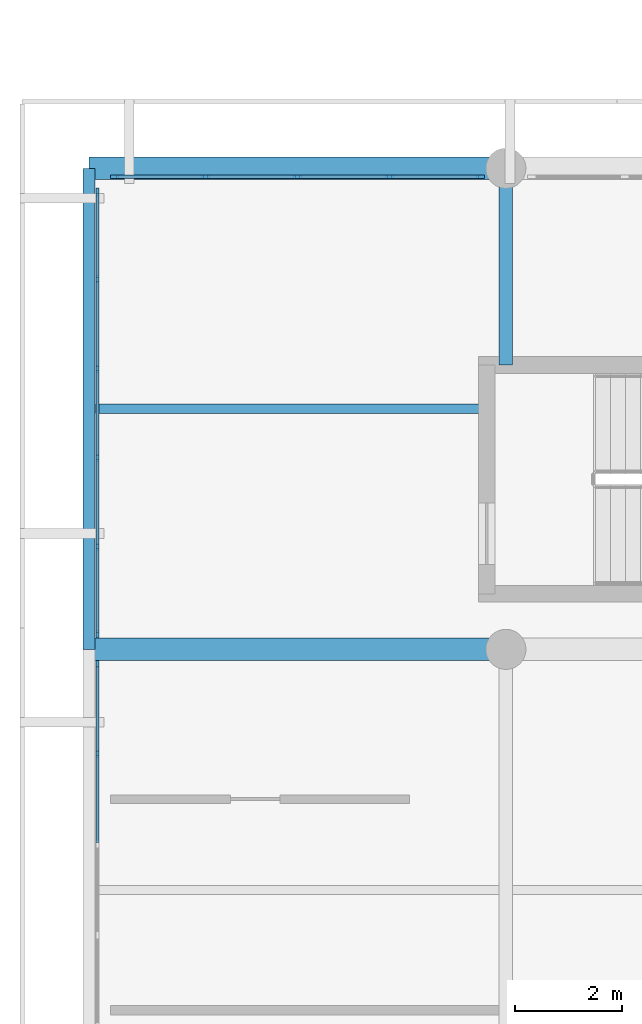
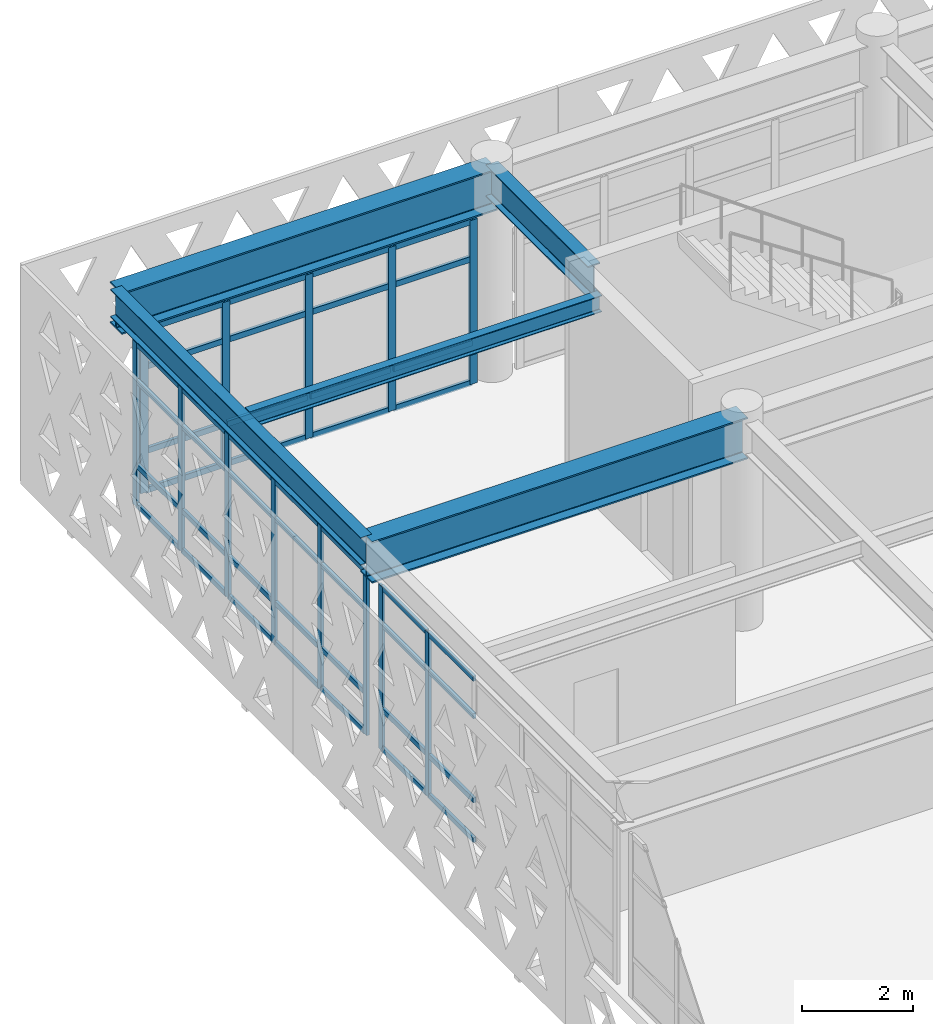
# One storey, part 5 of 33: 57 members, 5 beams, 3 elements without a shape of their own.
"""IFC4 building model written with IfcOpenShell, lengths in metres."""

import ifcopenshell
import ifcopenshell.guid

model = None  # the IFC model being written
_history = None  # IfcOwnerHistory: only IFC2X3 demands one
_inside = {}  # id of a spatial element -> (the spatial element, [elements in it])
_under = {}  # id of a project, library or spatial element -> (it, [spatial elements below it])
_declared = {}  # id of a project -> (the project, [libraries it declares])
_typed = {}  # id of a type object -> (the type object, [elements of that type])
_made_of = {}  # id of a material, layer set ... -> (it, [elements and type objects made of it])


def new_model(schema):
    """Start an empty IFC model of exactly this schema.

    Asked for "IFC4X3", IfcOpenShell would pick the latest addendum, in which some entities
    have other attributes; the version numbers below select the first issue.
    IFC2X3 requires an IfcOwnerHistory on every rooted entity: one is made here for all.
    """
    global model, _history
    if schema == "IFC4X3":
        model = ifcopenshell.file(schema_version=(4, 3, 0, 0))
    else:
        model = ifcopenshell.file(schema=schema)
    _inside.clear()
    _under.clear()
    _declared.clear()
    _typed.clear()
    _made_of.clear()
    _history = None
    if model.schema == "IFC2X3":
        org = make("IfcOrganization", Name="unknown")
        user = make(
            "IfcPersonAndOrganization",
            ThePerson=make("IfcPerson", FamilyName="unknown"),
            TheOrganization=org,
        )
        app = make(
            "IfcApplication",
            ApplicationDeveloper=org,
            Version="unknown",
            ApplicationFullName="unknown",
            ApplicationIdentifier="unknown",
        )
        _history = make(
            "IfcOwnerHistory",
            OwningUser=user,
            OwningApplication=app,
            ChangeAction="ADDED",
            CreationDate=0,
        )
    return model


def make(cls, **values):
    """One entity of the class cls with the attributes given. An attribute that is None is left unset."""
    return model.create_entity(
        cls, **{name: value for name, value in values.items() if value is not None}
    )


def rooted(cls, **values):
    """An entity with a GlobalId (a new one), such as an element, a storey or a relation."""
    return make(cls, GlobalId=ifcopenshell.guid.new(), OwnerHistory=_history, **values)


def si_unit(unit_type, name, prefix=None):
    """IfcSIUnit, for example si_unit("LENGTHUNIT", "METRE", prefix="MILLI")."""
    return make("IfcSIUnit", UnitType=unit_type, Prefix=prefix, Name=name)


def assignment(units):
    """IfcUnitAssignment: the units of a project."""
    return None if units is None else make("IfcUnitAssignment", Units=units)


def point(xyz):
    """IfcCartesianPoint."""
    return None if xyz is None else make("IfcCartesianPoint", Coordinates=xyz)


def direction(xyz):
    """IfcDirection."""
    return None if xyz is None else make("IfcDirection", DirectionRatios=xyz)


def frame(location, z_axis=None, x_axis=None):
    """IfcAxis2Placement3D, a coordinate frame: its origin and axes. An axis left out is left unset."""
    return make(
        "IfcAxis2Placement3D",
        Location=point(location),
        Axis=direction(z_axis),
        RefDirection=direction(x_axis),
    )


def frame_2d(location, x_axis=None):
    """IfcAxis2Placement2D, a coordinate frame in the plane: its origin and x axis."""
    return make(
        "IfcAxis2Placement2D", Location=point(location), RefDirection=direction(x_axis)
    )


def origin():
    """The frame at (0, 0, 0) with its axes left unset."""
    return frame((0.0, 0.0, 0.0))


def origin_2d():
    """The frame at (0, 0) in the plane with its x axis left unset."""
    return frame_2d((0.0, 0.0))


def place(relative_to, where):
    """IfcLocalPlacement: puts the frame where relative to a parent placement (None: the world)."""
    return make(
        "IfcLocalPlacement", PlacementRelTo=relative_to, RelativePlacement=where
    )


def context(
    kind, dimensions, precision=None, world=None, true_north=None, identifier=None
):
    """IfcGeometricRepresentationContext, for example the 3D "Model" context."""
    return make(
        "IfcGeometricRepresentationContext",
        ContextIdentifier=identifier,
        ContextType=kind,
        CoordinateSpaceDimension=dimensions,
        Precision=precision,
        WorldCoordinateSystem=world,
        TrueNorth=true_north,
    )


def subcontext(parent, identifier, kind, view, scale=None):
    """IfcGeometricRepresentationSubContext, for example "Body" below "Model"."""
    return make(
        "IfcGeometricRepresentationSubContext",
        ContextIdentifier=identifier,
        ContextType=kind,
        ParentContext=parent,
        TargetScale=scale,
        TargetView=view,
    )


def project(units=None, contexts=None):
    """IfcProject with its units and contexts."""
    return rooted(
        "IfcProject",
        Name="project",
        RepresentationContexts=contexts,
        UnitsInContext=assignment(units),
    )


def spatial(cls, under=None, at=None, **own):
    """A site, building, storey or space (cls), placed at a placement, below another one or the project."""
    s = rooted(cls, ObjectPlacement=at, **own)
    if under is not None:
        _under.setdefault(under.id(), (under, []))[1].append(s)
    return s


def profile(cls, at=None, kind="AREA", **sizes):
    """A parametric profile (cls). Its sizes go by their IFC names, for example OverallWidth=200.0."""
    return make(cls, ProfileType=kind, Position=at, **sizes)


def rectangle(**sizes):
    """IfcRectangleProfileDef."""
    return profile("IfcRectangleProfileDef", **sizes)


def i_section(**sizes):
    """IfcIShapeProfileDef."""
    return profile("IfcIShapeProfileDef", **sizes)


def extrude(swept, where, along, depth):
    """IfcExtrudedAreaSolid: the profile swept, set in the frame where, extruded along a direction by depth."""
    return make(
        "IfcExtrudedAreaSolid",
        SweptArea=swept,
        Position=where,
        ExtrudedDirection=direction(along),
        Depth=depth,
    )


def shape(context_of_items, identifier, shape_type, items):
    """IfcShapeRepresentation: the items that make up one representation, for example the "Body"."""
    return make(
        "IfcShapeRepresentation",
        ContextOfItems=context_of_items,
        RepresentationIdentifier=identifier,
        RepresentationType=shape_type,
        Items=items,
    )


def material(Name=None, Category=None):
    """IfcMaterial."""
    return make("IfcMaterial", Name=Name, Category=Category)


def layer(
    of_material, thickness, ventilated=None, Name=None, Category=None, Priority=None
):
    """IfcMaterialLayer: one layer of a wall or slab, of a material (None: an air gap)."""
    return make(
        "IfcMaterialLayer",
        Material=of_material,
        LayerThickness=thickness,
        IsVentilated=ventilated,
        Name=Name,
        Category=Category,
        Priority=Priority,
    )


def layer_set(layers, Name=None):
    """IfcMaterialLayerSet."""
    return make("IfcMaterialLayerSet", MaterialLayers=layers, LayerSetName=Name)


def material_profile(
    of_material, cross_section, Name=None, Category=None, Priority=None
):
    """IfcMaterialProfile: a cross section and its material."""
    return make(
        "IfcMaterialProfile",
        Name=Name,
        Material=of_material,
        Profile=cross_section,
        Priority=Priority,
        Category=Category,
    )


def profile_set(profiles, Name=None, composite=None):
    """IfcMaterialProfileSet."""
    return make(
        "IfcMaterialProfileSet",
        Name=Name,
        MaterialProfiles=profiles,
        CompositeProfile=composite,
    )


def made_of(thing, what):
    """Note that an element or type object is made of a material, layer set ...; save() writes the relation."""
    if what is not None:
        _made_of.setdefault(what.id(), (what, []))[1].append(thing)
    return thing


def type_object(cls, material=None, **own):
    """A type object (cls), such as IfcWallType, which elements share."""
    return made_of(rooted(cls, **own), material)


def element(
    cls,
    number,
    at=None,
    inside=None,
    cuts=None,
    type_object=None,
    material=None,
    context=None,
    identifier="Body",
    shape_type=None,
    held_by="IfcProductDefinitionShape",
    body=None,
    shapes=None,
    **own,
):
    """One element of the class cls, such as IfcWall. Its Tag is "e" and its number.

    at: its placement. inside: the storey or other place that contains it. cuts: it is an
    opening in that element (IfcRelVoidsElement). A single representation is given by context,
    identifier, shape_type and body (its items); several are given by shapes. held_by: the class
    of the entity that holds the representations. save() writes the other relations.
    """
    e = rooted(cls, Tag="e%d" % number, ObjectPlacement=at, **own)
    if body is not None:
        shapes = [shape(context, identifier, shape_type, body)]
    if shapes is not None:
        e.Representation = make(held_by, Representations=shapes)
    if inside is not None:
        _inside.setdefault(inside.id(), (inside, []))[1].append(e)
    if cuts is not None:
        rooted(
            "IfcRelVoidsElement", RelatingBuildingElement=cuts, RelatedOpeningElement=e
        )
    if type_object is not None:
        _typed.setdefault(type_object.id(), (type_object, []))[1].append(e)
    return made_of(e, material)


def aggregate(whole, parts):
    """IfcRelAggregates: a whole, such as a stair, and the parts it consists of."""
    return rooted("IfcRelAggregates", RelatingObject=whole, RelatedObjects=parts)


def save(model, path):
    """Write the relations noted so far, then the file.

    IfcRelAggregates (storeys below a building ...), IfcRelContainedInSpatialStructure (elements
    in a storey), IfcRelDefinesByType, IfcRelAssociatesMaterial and IfcRelDeclares: one each for
    every whole, place, type object, material and project.
    """
    for whole, parts in _under.values():
        aggregate(whole, parts)
    for where, things in _inside.values():
        rooted(
            "IfcRelContainedInSpatialStructure",
            RelatedElements=things,
            RelatingStructure=where,
        )
    for kind, things in _typed.values():
        rooted("IfcRelDefinesByType", RelatedObjects=things, RelatingType=kind)
    for what, things in _made_of.values():
        rooted("IfcRelAssociatesMaterial", RelatedObjects=things, RelatingMaterial=what)
    for by, libraries in _declared.values():
        rooted("IfcRelDeclares", RelatingContext=by, RelatedDefinitions=libraries)
    model.write(path)


model = new_model("IFC4")

# Units and contexts
model_context = context("Model", 3, precision=1e-05, world=origin(), true_north=direction((0.0, 1.0)))
body_context = subcontext(model_context, "Body", "Model", "MODEL_VIEW")
ifc_project = project(units=[si_unit("LENGTHUNIT", "METRE"), si_unit("AREAUNIT", "SQUARE_METRE"), si_unit("VOLUMEUNIT", "CUBIC_METRE"), si_unit("PLANEANGLEUNIT", "RADIAN"), si_unit("MASSUNIT", "GRAM", prefix="KILO")], contexts=[model_context])

# Site, building, storey
site_placement = place(None, origin())
site = spatial("IfcSite", under=ifc_project, at=site_placement, CompositionType="ELEMENT")
building_placement = place(site_placement, origin())
building = spatial("IfcBuilding", under=site, at=building_placement, Name="Tlacozan Convention Centre", CompositionType="ELEMENT")
storey_placement = place(building_placement, frame((0.0, 0.0, 16.199951171875)))
storey = spatial("IfcBuildingStorey", under=building, at=storey_placement, Name="L03", CompositionType="ELEMENT", Elevation=16.199951171875)

# Beams
ifc_material_1 = material(Name="Steel ASTM A992 Grade 50", Category="steel")
ifc_material_profile_1 = material_profile(ifc_material_1, i_section(OverallWidth=0.41796875, OverallDepth=0.912109375, WebThickness=0.019287109375, FlangeThickness=0.031982421875, FilletRadius=0.02001953125, at=origin_2d()), Name="IR 914x342.0")
ifc_profile_set_1 = profile_set([ifc_material_profile_1], Name="Steel ASTM A992 Grade 50")
beam_type_1 = type_object("IfcBeamType", Name="Cantilever Girder IR 914x342", PredefinedType="BEAM", material=ifc_profile_set_1)
for number, where, z_axis, x_axis, name in (
    (1, (8.0, 18.0, 4.10400390625), (-1.0, 0.0, 0.0), (0.0, -1.0, 0.0), "L03 Cantilever Girder IR 914x342 581"),
    (2, (8.0, 27.0, 4.10400390625), (-1.0, 0.0, 0.0), (0.0, -1.0, 0.0), "L03 Cantilever Girder IR 914x342 583"),
):
    element("IfcBeam", number, at=place(storey_placement, frame(where, z_axis=z_axis, x_axis=x_axis)), inside=storey, type_object=beam_type_1, Name=name, PredefinedType="BEAM", context=body_context, shape_type="SweptSolid", body=[
        extrude(i_section(OverallWidth=0.41796875, OverallDepth=0.912109375, WebThickness=0.019287109375, FlangeThickness=0.031982421875, FilletRadius=0.02001953125, at=origin_2d()), origin(), (0.0, 0.0, 1.0), 7.800048828125),
    ])

# Curtain wall, members
ifc_material_2 = material(Name="Dark Bronze Anodised Aluminium", Category="aluminium")
ifc_layer_1 = layer(ifc_material_2, 0.159912109375)
ifc_layer_set_1 = layer_set([ifc_layer_1], Name="Dark Bronze Anodised Aluminium")
curtain_wall_type_1 = type_object("IfcCurtainWallType", Name="Unitised Congress Gable End CW06", PredefinedType="NOTDEFINED", material=ifc_layer_set_1)
curtain_wall_1_placement = place(storey_placement, origin())
curtain_wall_1 = element("IfcCurtainWall", 3, at=curtain_wall_1_placement, inside=storey, type_object=curtain_wall_type_1, Name="L03 CW-06 Run 120", PredefinedType="NOTDEFINED")
ifc_material_profile_2 = material_profile(ifc_material_2, rectangle(XDim=0.06005859375, YDim=0.139892578125, at=origin_2d()), Name="ALU 60x140")
ifc_profile_set_2 = profile_set([ifc_material_profile_2], Name="Dark Bronze Anodised Aluminium")
member_type_1 = type_object("IfcMemberType", Name="Curtain Wall Light Mullion 60x140", PredefinedType="MULLION", material=ifc_profile_set_2)
member_1_placement = place(storey_placement, frame((0.360107421875, 16.050048828125, 0.0), z_axis=(0.0, 0.0, 1.0), x_axis=(-1.0, 0.0, 0.0)))
member_1 = element("IfcMember", 4, at=member_1_placement, type_object=member_type_1, Name="CW-06 mullion 5", PredefinedType="MULLION", context=body_context, shape_type="SweptSolid", body=[
    extrude(rectangle(XDim=0.06005859375, YDim=0.139892578125, at=origin_2d()), origin(), (0.0, 0.0, 1.0), 3.60009765625),
])
member_2_placement = place(storey_placement, frame((0.360107421875, 17.719970703125, 0.0), z_axis=(0.0, 0.0, 1.0), x_axis=(-1.0, 0.0, 0.0)))
member_2 = element("IfcMember", 5, at=member_2_placement, type_object=member_type_1, Name="CW-06 mullion 6", PredefinedType="MULLION", context=body_context, shape_type="SweptSolid", body=[
    extrude(rectangle(XDim=0.06005859375, YDim=0.139892578125, at=origin_2d()), origin(), (0.0, 0.0, 1.0), 3.60009765625),
])

curtain_wall_2_placement = place(storey_placement, origin())
curtain_wall_2 = element("IfcCurtainWall", 6, at=curtain_wall_2_placement, inside=storey, type_object=curtain_wall_type_1, Name="L03 CW-06 Run 122", PredefinedType="NOTDEFINED")
member_3_placement = place(storey_placement, frame((0.360107421875, 18.280029296875, 0.0), z_axis=(0.0, 0.0, 1.0), x_axis=(-1.0, 0.0, 0.0)))
member_3 = element("IfcMember", 7, at=member_3_placement, type_object=member_type_1, Name="CW-06 mullion 1", PredefinedType="MULLION", context=body_context, shape_type="SweptSolid", body=[
    extrude(rectangle(XDim=0.06005859375, YDim=0.139892578125, at=origin_2d()), origin(), (0.0, 0.0, 1.0), 3.60009765625),
])
member_4_placement = place(storey_placement, frame((0.360107421875, 19.91796875, 0.0), z_axis=(0.0, 0.0, 1.0), x_axis=(-1.0, 0.0, 0.0)))
member_4 = element("IfcMember", 8, at=member_4_placement, type_object=member_type_1, Name="CW-06 mullion 2", PredefinedType="MULLION", context=body_context, shape_type="SweptSolid", body=[
    extrude(rectangle(XDim=0.06005859375, YDim=0.139892578125, at=origin_2d()), origin(), (0.0, 0.0, 1.0), 3.60009765625),
])
member_5_placement = place(storey_placement, frame((0.360107421875, 21.5859375, 0.0), z_axis=(0.0, 0.0, 1.0), x_axis=(-1.0, 0.0, 0.0)))
member_5 = element("IfcMember", 9, at=member_5_placement, type_object=member_type_1, Name="CW-06 mullion 3", PredefinedType="MULLION", context=body_context, shape_type="SweptSolid", body=[
    extrude(rectangle(XDim=0.06005859375, YDim=0.139892578125, at=origin_2d()), origin(), (0.0, 0.0, 1.0), 3.60009765625),
])
member_6_placement = place(storey_placement, frame((0.360107421875, 23.25390625, 0.0), z_axis=(0.0, 0.0, 1.0), x_axis=(-1.0, 0.0, 0.0)))
member_6 = element("IfcMember", 10, at=member_6_placement, type_object=member_type_1, Name="CW-06 mullion 4", PredefinedType="MULLION", context=body_context, shape_type="SweptSolid", body=[
    extrude(rectangle(XDim=0.06005859375, YDim=0.139892578125, at=origin_2d()), origin(), (0.0, 0.0, 1.0), 3.60009765625),
])
member_7_placement = place(storey_placement, frame((0.360107421875, 24.922119140625, 0.0), z_axis=(0.0, 0.0, 1.0), x_axis=(-1.0, 0.0, 0.0)))
member_7 = element("IfcMember", 11, at=member_7_placement, type_object=member_type_1, Name="CW-06 mullion 5", PredefinedType="MULLION", context=body_context, shape_type="SweptSolid", body=[
    extrude(rectangle(XDim=0.06005859375, YDim=0.139892578125, at=origin_2d()), origin(), (0.0, 0.0, 1.0), 3.60009765625),
])
member_8_placement = place(storey_placement, frame((0.360107421875, 26.56005859375, 0.0), z_axis=(0.0, 0.0, 1.0), x_axis=(-1.0, 0.0, 0.0)))
member_8 = element("IfcMember", 12, at=member_8_placement, type_object=member_type_1, Name="CW-06 mullion 6", PredefinedType="MULLION", context=body_context, shape_type="SweptSolid", body=[
    extrude(rectangle(XDim=0.06005859375, YDim=0.139892578125, at=origin_2d()), origin(), (0.0, 0.0, 1.0), 3.60009765625),
])

# Member
ifc_material_profile_3 = material_profile(ifc_material_2, rectangle(XDim=0.06005859375, YDim=0.110107421875, at=origin_2d()), Name="ALU 60x110")
ifc_profile_set_3 = profile_set([ifc_material_profile_3], Name="Dark Bronze Anodised Aluminium")
member_type_2 = type_object("IfcMemberType", Name="Curtain Wall Light Transom 60x110", PredefinedType="USERDEFINED", material=ifc_profile_set_3)
member_9_placement = place(storey_placement, frame((0.360107421875, 14.3798828125, 0.030029296875), z_axis=(0.0, 1.0, 0.0), x_axis=(-1.0, 0.0, 0.0)))
member_9 = element("IfcMember", 13, at=member_9_placement, type_object=member_type_2, Name="CW-06 transom 4.1", ObjectType="TRANSOM", PredefinedType="USERDEFINED", context=body_context, shape_type="SweptSolid", body=[
    extrude(rectangle(XDim=0.06005859375, YDim=0.110107421875, at=origin_2d()), origin(), (0.0, 0.0, 1.0), 1.64013671875),
])

member_10_placement = place(storey_placement, frame((0.360107421875, 14.3798828125, 0.900146484375), z_axis=(0.0, 1.0, 0.0), x_axis=(-1.0, 0.0, 0.0)))
member_10 = element("IfcMember", 14, at=member_10_placement, type_object=member_type_2, Name="CW-06 transom 4.2", ObjectType="TRANSOM", PredefinedType="USERDEFINED", context=body_context, shape_type="SweptSolid", body=[
    extrude(rectangle(XDim=0.06005859375, YDim=0.110107421875, at=origin_2d()), origin(), (0.0, 0.0, 1.0), 1.64013671875),
])

member_11_placement = place(storey_placement, frame((0.360107421875, 14.3798828125, 2.75), z_axis=(0.0, 1.0, 0.0), x_axis=(-1.0, 0.0, 0.0)))
member_11 = element("IfcMember", 15, at=member_11_placement, type_object=member_type_2, Name="CW-06 transom 4.3", ObjectType="TRANSOM", PredefinedType="USERDEFINED", context=body_context, shape_type="SweptSolid", body=[
    extrude(rectangle(XDim=0.06005859375, YDim=0.110107421875, at=origin_2d()), origin(), (0.0, 0.0, 1.0), 1.64013671875),
])

member_12_placement = place(storey_placement, frame((0.360107421875, 14.3798828125, 3.570068359375), z_axis=(0.0, 1.0, 0.0), x_axis=(-1.0, 0.0, 0.0)))
member_12 = element("IfcMember", 16, at=member_12_placement, type_object=member_type_2, Name="CW-06 transom 4.4", ObjectType="TRANSOM", PredefinedType="USERDEFINED", context=body_context, shape_type="SweptSolid", body=[
    extrude(rectangle(XDim=0.06005859375, YDim=0.110107421875, at=origin_2d()), origin(), (0.0, 0.0, 1.0), 1.64013671875),
])

member_13_placement = place(storey_placement, frame((0.360107421875, 16.080078125, 0.030029296875), z_axis=(0.0, 1.0, 0.0), x_axis=(-1.0, 0.0, 0.0)))
member_13 = element("IfcMember", 17, at=member_13_placement, type_object=member_type_2, Name="CW-06 transom 5.1", ObjectType="TRANSOM", PredefinedType="USERDEFINED", context=body_context, shape_type="SweptSolid", body=[
    extrude(rectangle(XDim=0.06005859375, YDim=0.110107421875, at=origin_2d()), origin(), (0.0, 0.0, 1.0), 1.60986328125),
])

member_14_placement = place(storey_placement, frame((0.360107421875, 16.080078125, 0.900146484375), z_axis=(0.0, 1.0, 0.0), x_axis=(-1.0, 0.0, 0.0)))
member_14 = element("IfcMember", 18, at=member_14_placement, type_object=member_type_2, Name="CW-06 transom 5.2", ObjectType="TRANSOM", PredefinedType="USERDEFINED", context=body_context, shape_type="SweptSolid", body=[
    extrude(rectangle(XDim=0.06005859375, YDim=0.110107421875, at=origin_2d()), origin(), (0.0, 0.0, 1.0), 1.60986328125),
])

member_15_placement = place(storey_placement, frame((0.360107421875, 16.080078125, 2.75), z_axis=(0.0, 1.0, 0.0), x_axis=(-1.0, 0.0, 0.0)))
member_15 = element("IfcMember", 19, at=member_15_placement, type_object=member_type_2, Name="CW-06 transom 5.3", ObjectType="TRANSOM", PredefinedType="USERDEFINED", context=body_context, shape_type="SweptSolid", body=[
    extrude(rectangle(XDim=0.06005859375, YDim=0.110107421875, at=origin_2d()), origin(), (0.0, 0.0, 1.0), 1.60986328125),
])

member_16_placement = place(storey_placement, frame((0.360107421875, 16.080078125, 3.570068359375), z_axis=(0.0, 1.0, 0.0), x_axis=(-1.0, 0.0, 0.0)))
member_16 = element("IfcMember", 20, at=member_16_placement, type_object=member_type_2, Name="CW-06 transom 5.4", ObjectType="TRANSOM", PredefinedType="USERDEFINED", context=body_context, shape_type="SweptSolid", body=[
    extrude(rectangle(XDim=0.06005859375, YDim=0.110107421875, at=origin_2d()), origin(), (0.0, 0.0, 1.0), 1.60986328125),
])

aggregate(curtain_wall_1, [member_1, member_2, member_9, member_10, member_11, member_12, member_13, member_14, member_15, member_16])

member_17_placement = place(storey_placement, frame((0.360107421875, 18.31005859375, 0.030029296875), z_axis=(0.0, 1.0, 0.0), x_axis=(-1.0, 0.0, 0.0)))
member_17 = element("IfcMember", 21, at=member_17_placement, type_object=member_type_2, Name="CW-06 transom 1.1", ObjectType="TRANSOM", PredefinedType="USERDEFINED", context=body_context, shape_type="SweptSolid", body=[
    extrude(rectangle(XDim=0.06005859375, YDim=0.110107421875, at=origin_2d()), origin(), (0.0, 0.0, 1.0), 1.577880859375),
])

member_18_placement = place(storey_placement, frame((0.360107421875, 18.31005859375, 0.900146484375), z_axis=(0.0, 1.0, 0.0), x_axis=(-1.0, 0.0, 0.0)))
member_18 = element("IfcMember", 22, at=member_18_placement, type_object=member_type_2, Name="CW-06 transom 1.2", ObjectType="TRANSOM", PredefinedType="USERDEFINED", context=body_context, shape_type="SweptSolid", body=[
    extrude(rectangle(XDim=0.06005859375, YDim=0.110107421875, at=origin_2d()), origin(), (0.0, 0.0, 1.0), 1.577880859375),
])

member_19_placement = place(storey_placement, frame((0.360107421875, 18.31005859375, 2.75), z_axis=(0.0, 1.0, 0.0), x_axis=(-1.0, 0.0, 0.0)))
member_19 = element("IfcMember", 23, at=member_19_placement, type_object=member_type_2, Name="CW-06 transom 1.3", ObjectType="TRANSOM", PredefinedType="USERDEFINED", context=body_context, shape_type="SweptSolid", body=[
    extrude(rectangle(XDim=0.06005859375, YDim=0.110107421875, at=origin_2d()), origin(), (0.0, 0.0, 1.0), 1.577880859375),
])

member_20_placement = place(storey_placement, frame((0.360107421875, 18.31005859375, 3.570068359375), z_axis=(0.0, 1.0, 0.0), x_axis=(-1.0, 0.0, 0.0)))
member_20 = element("IfcMember", 24, at=member_20_placement, type_object=member_type_2, Name="CW-06 transom 1.4", ObjectType="TRANSOM", PredefinedType="USERDEFINED", context=body_context, shape_type="SweptSolid", body=[
    extrude(rectangle(XDim=0.06005859375, YDim=0.110107421875, at=origin_2d()), origin(), (0.0, 0.0, 1.0), 1.577880859375),
])

member_21_placement = place(storey_placement, frame((0.360107421875, 19.947998046875, 0.030029296875), z_axis=(0.0, 1.0, 0.0), x_axis=(-1.0, 0.0, 0.0)))
member_21 = element("IfcMember", 25, at=member_21_placement, type_object=member_type_2, Name="CW-06 transom 2.1", ObjectType="TRANSOM", PredefinedType="USERDEFINED", context=body_context, shape_type="SweptSolid", body=[
    extrude(rectangle(XDim=0.06005859375, YDim=0.110107421875, at=origin_2d()), origin(), (0.0, 0.0, 1.0), 1.60791015625),
])

member_22_placement = place(storey_placement, frame((0.360107421875, 19.947998046875, 0.900146484375), z_axis=(0.0, 1.0, 0.0), x_axis=(-1.0, 0.0, 0.0)))
member_22 = element("IfcMember", 26, at=member_22_placement, type_object=member_type_2, Name="CW-06 transom 2.2", ObjectType="TRANSOM", PredefinedType="USERDEFINED", context=body_context, shape_type="SweptSolid", body=[
    extrude(rectangle(XDim=0.06005859375, YDim=0.110107421875, at=origin_2d()), origin(), (0.0, 0.0, 1.0), 1.60791015625),
])

member_23_placement = place(storey_placement, frame((0.360107421875, 19.947998046875, 2.75), z_axis=(0.0, 1.0, 0.0), x_axis=(-1.0, 0.0, 0.0)))
member_23 = element("IfcMember", 27, at=member_23_placement, type_object=member_type_2, Name="CW-06 transom 2.3", ObjectType="TRANSOM", PredefinedType="USERDEFINED", context=body_context, shape_type="SweptSolid", body=[
    extrude(rectangle(XDim=0.06005859375, YDim=0.110107421875, at=origin_2d()), origin(), (0.0, 0.0, 1.0), 1.60791015625),
])

member_24_placement = place(storey_placement, frame((0.360107421875, 19.947998046875, 3.570068359375), z_axis=(0.0, 1.0, 0.0), x_axis=(-1.0, 0.0, 0.0)))
member_24 = element("IfcMember", 28, at=member_24_placement, type_object=member_type_2, Name="CW-06 transom 2.4", ObjectType="TRANSOM", PredefinedType="USERDEFINED", context=body_context, shape_type="SweptSolid", body=[
    extrude(rectangle(XDim=0.06005859375, YDim=0.110107421875, at=origin_2d()), origin(), (0.0, 0.0, 1.0), 1.60791015625),
])

member_25_placement = place(storey_placement, frame((0.360107421875, 21.615966796875, 0.030029296875), z_axis=(0.0, 1.0, 0.0), x_axis=(-1.0, 0.0, 0.0)))
member_25 = element("IfcMember", 29, at=member_25_placement, type_object=member_type_2, Name="CW-06 transom 3.1", ObjectType="TRANSOM", PredefinedType="USERDEFINED", context=body_context, shape_type="SweptSolid", body=[
    extrude(rectangle(XDim=0.06005859375, YDim=0.110107421875, at=origin_2d()), origin(), (0.0, 0.0, 1.0), 1.608154296875),
])

member_26_placement = place(storey_placement, frame((0.360107421875, 21.615966796875, 0.900146484375), z_axis=(0.0, 1.0, 0.0), x_axis=(-1.0, 0.0, 0.0)))
member_26 = element("IfcMember", 30, at=member_26_placement, type_object=member_type_2, Name="CW-06 transom 3.2", ObjectType="TRANSOM", PredefinedType="USERDEFINED", context=body_context, shape_type="SweptSolid", body=[
    extrude(rectangle(XDim=0.06005859375, YDim=0.110107421875, at=origin_2d()), origin(), (0.0, 0.0, 1.0), 1.608154296875),
])

member_27_placement = place(storey_placement, frame((0.360107421875, 21.615966796875, 2.75), z_axis=(0.0, 1.0, 0.0), x_axis=(-1.0, 0.0, 0.0)))
member_27 = element("IfcMember", 31, at=member_27_placement, type_object=member_type_2, Name="CW-06 transom 3.3", ObjectType="TRANSOM", PredefinedType="USERDEFINED", context=body_context, shape_type="SweptSolid", body=[
    extrude(rectangle(XDim=0.06005859375, YDim=0.110107421875, at=origin_2d()), origin(), (0.0, 0.0, 1.0), 1.608154296875),
])

member_28_placement = place(storey_placement, frame((0.360107421875, 21.615966796875, 3.570068359375), z_axis=(0.0, 1.0, 0.0), x_axis=(-1.0, 0.0, 0.0)))
member_28 = element("IfcMember", 32, at=member_28_placement, type_object=member_type_2, Name="CW-06 transom 3.4", ObjectType="TRANSOM", PredefinedType="USERDEFINED", context=body_context, shape_type="SweptSolid", body=[
    extrude(rectangle(XDim=0.06005859375, YDim=0.110107421875, at=origin_2d()), origin(), (0.0, 0.0, 1.0), 1.608154296875),
])

member_29_placement = place(storey_placement, frame((0.360107421875, 23.283935546875, 0.030029296875), z_axis=(0.0, 1.0, 0.0), x_axis=(-1.0, 0.0, 0.0)))
member_29 = element("IfcMember", 33, at=member_29_placement, type_object=member_type_2, Name="CW-06 transom 4.1", ObjectType="TRANSOM", PredefinedType="USERDEFINED", context=body_context, shape_type="SweptSolid", body=[
    extrude(rectangle(XDim=0.06005859375, YDim=0.110107421875, at=origin_2d()), origin(), (0.0, 0.0, 1.0), 1.608154296875),
])

member_30_placement = place(storey_placement, frame((0.360107421875, 23.283935546875, 0.900146484375), z_axis=(0.0, 1.0, 0.0), x_axis=(-1.0, 0.0, 0.0)))
member_30 = element("IfcMember", 34, at=member_30_placement, type_object=member_type_2, Name="CW-06 transom 4.2", ObjectType="TRANSOM", PredefinedType="USERDEFINED", context=body_context, shape_type="SweptSolid", body=[
    extrude(rectangle(XDim=0.06005859375, YDim=0.110107421875, at=origin_2d()), origin(), (0.0, 0.0, 1.0), 1.608154296875),
])

member_31_placement = place(storey_placement, frame((0.360107421875, 23.283935546875, 2.75), z_axis=(0.0, 1.0, 0.0), x_axis=(-1.0, 0.0, 0.0)))
member_31 = element("IfcMember", 35, at=member_31_placement, type_object=member_type_2, Name="CW-06 transom 4.3", ObjectType="TRANSOM", PredefinedType="USERDEFINED", context=body_context, shape_type="SweptSolid", body=[
    extrude(rectangle(XDim=0.06005859375, YDim=0.110107421875, at=origin_2d()), origin(), (0.0, 0.0, 1.0), 1.608154296875),
])

member_32_placement = place(storey_placement, frame((0.360107421875, 23.283935546875, 3.570068359375), z_axis=(0.0, 1.0, 0.0), x_axis=(-1.0, 0.0, 0.0)))
member_32 = element("IfcMember", 36, at=member_32_placement, type_object=member_type_2, Name="CW-06 transom 4.4", ObjectType="TRANSOM", PredefinedType="USERDEFINED", context=body_context, shape_type="SweptSolid", body=[
    extrude(rectangle(XDim=0.06005859375, YDim=0.110107421875, at=origin_2d()), origin(), (0.0, 0.0, 1.0), 1.608154296875),
])

member_33_placement = place(storey_placement, frame((0.360107421875, 24.951904296875, 0.030029296875), z_axis=(0.0, 1.0, 0.0), x_axis=(-1.0, 0.0, 0.0)))
member_33 = element("IfcMember", 37, at=member_33_placement, type_object=member_type_2, Name="CW-06 transom 5.1", ObjectType="TRANSOM", PredefinedType="USERDEFINED", context=body_context, shape_type="SweptSolid", body=[
    extrude(rectangle(XDim=0.06005859375, YDim=0.110107421875, at=origin_2d()), origin(), (0.0, 0.0, 1.0), 1.578125),
])

member_34_placement = place(storey_placement, frame((0.360107421875, 24.951904296875, 0.900146484375), z_axis=(0.0, 1.0, 0.0), x_axis=(-1.0, 0.0, 0.0)))
member_34 = element("IfcMember", 38, at=member_34_placement, type_object=member_type_2, Name="CW-06 transom 5.2", ObjectType="TRANSOM", PredefinedType="USERDEFINED", context=body_context, shape_type="SweptSolid", body=[
    extrude(rectangle(XDim=0.06005859375, YDim=0.110107421875, at=origin_2d()), origin(), (0.0, 0.0, 1.0), 1.578125),
])

member_35_placement = place(storey_placement, frame((0.360107421875, 24.951904296875, 2.75), z_axis=(0.0, 1.0, 0.0), x_axis=(-1.0, 0.0, 0.0)))
member_35 = element("IfcMember", 39, at=member_35_placement, type_object=member_type_2, Name="CW-06 transom 5.3", ObjectType="TRANSOM", PredefinedType="USERDEFINED", context=body_context, shape_type="SweptSolid", body=[
    extrude(rectangle(XDim=0.06005859375, YDim=0.110107421875, at=origin_2d()), origin(), (0.0, 0.0, 1.0), 1.578125),
])

member_36_placement = place(storey_placement, frame((0.360107421875, 24.951904296875, 3.570068359375), z_axis=(0.0, 1.0, 0.0), x_axis=(-1.0, 0.0, 0.0)))
member_36 = element("IfcMember", 40, at=member_36_placement, type_object=member_type_2, Name="CW-06 transom 5.4", ObjectType="TRANSOM", PredefinedType="USERDEFINED", context=body_context, shape_type="SweptSolid", body=[
    extrude(rectangle(XDim=0.06005859375, YDim=0.110107421875, at=origin_2d()), origin(), (0.0, 0.0, 1.0), 1.578125),
])

aggregate(curtain_wall_2, [member_3, member_4, member_5, member_6, member_7, member_8, member_17, member_18, member_19, member_20, member_21, member_22, member_23, member_24, member_25, member_26, member_27, member_28, member_29, member_30, member_31, member_32, member_33, member_34, member_35, member_36])

# Curtain wall, members
ifc_layer_2 = layer(ifc_material_2, 0.159912109375)
ifc_layer_set_2 = layer_set([ifc_layer_2], Name="Dark Bronze Anodised Aluminium")
curtain_wall_type_2 = type_object("IfcCurtainWallType", Name="Unitised Congress L03 South CW04", PredefinedType="NOTDEFINED", material=ifc_layer_set_2)
curtain_wall_3_placement = place(storey_placement, origin())
curtain_wall_3 = element("IfcCurtainWall", 41, at=curtain_wall_3_placement, inside=storey, type_object=curtain_wall_type_2, Name="L03 CW-04 Run 115", PredefinedType="NOTDEFINED")
ifc_material_profile_4 = material_profile(ifc_material_2, rectangle(XDim=0.06494140625, YDim=0.159912109375, at=origin_2d()), Name="ALU 65x160")
ifc_profile_set_4 = profile_set([ifc_material_profile_4], Name="Dark Bronze Anodised Aluminium")
member_type_3 = type_object("IfcMemberType", Name="Curtain Wall Mullion 65x160", PredefinedType="MULLION", material=ifc_profile_set_4)
member_37_placement = place(storey_placement, frame((0.6826171875, 26.840087890625, 0.0), z_axis=(0.0, 0.0, 1.0), x_axis=(0.0, 1.0, 0.0)))
member_37 = element("IfcMember", 42, at=member_37_placement, type_object=member_type_3, Name="CW-04 mullion 1", PredefinedType="MULLION", context=body_context, shape_type="SweptSolid", body=[
    extrude(rectangle(XDim=0.06494140625, YDim=0.159912109375, at=origin_2d()), origin(), (0.0, 0.0, 1.0), 3.60009765625),
])
member_38_placement = place(storey_placement, frame((2.375, 26.840087890625, 0.0), z_axis=(0.0, 0.0, 1.0), x_axis=(0.0, 1.0, 0.0)))
member_38 = element("IfcMember", 43, at=member_38_placement, type_object=member_type_3, Name="CW-04 mullion 2", PredefinedType="MULLION", context=body_context, shape_type="SweptSolid", body=[
    extrude(rectangle(XDim=0.06494140625, YDim=0.159912109375, at=origin_2d()), origin(), (0.0, 0.0, 1.0), 3.60009765625),
])
member_39_placement = place(storey_placement, frame((4.10009765625, 26.840087890625, 0.0), z_axis=(0.0, 0.0, 1.0), x_axis=(0.0, 1.0, 0.0)))
member_39 = element("IfcMember", 44, at=member_39_placement, type_object=member_type_3, Name="CW-04 mullion 3", PredefinedType="MULLION", context=body_context, shape_type="SweptSolid", body=[
    extrude(rectangle(XDim=0.06494140625, YDim=0.159912109375, at=origin_2d()), origin(), (0.0, 0.0, 1.0), 3.60009765625),
])
member_40_placement = place(storey_placement, frame((5.824951171875, 26.840087890625, 0.0), z_axis=(0.0, 0.0, 1.0), x_axis=(0.0, 1.0, 0.0)))
member_40 = element("IfcMember", 45, at=member_40_placement, type_object=member_type_3, Name="CW-04 mullion 4", PredefinedType="MULLION", context=body_context, shape_type="SweptSolid", body=[
    extrude(rectangle(XDim=0.06494140625, YDim=0.159912109375, at=origin_2d()), origin(), (0.0, 0.0, 1.0), 3.60009765625),
])
member_41_placement = place(storey_placement, frame((7.517578125, 26.840087890625, 0.0), z_axis=(0.0, 0.0, 1.0), x_axis=(0.0, 1.0, 0.0)))
member_41 = element("IfcMember", 46, at=member_41_placement, type_object=member_type_3, Name="CW-04 mullion 5", PredefinedType="MULLION", context=body_context, shape_type="SweptSolid", body=[
    extrude(rectangle(XDim=0.06494140625, YDim=0.159912109375, at=origin_2d()), origin(), (0.0, 0.0, 1.0), 3.60009765625),
])
ifc_material_profile_5 = material_profile(ifc_material_2, rectangle(XDim=0.06494140625, YDim=0.125, at=origin_2d()), Name="ALU 65x125")
ifc_profile_set_5 = profile_set([ifc_material_profile_5], Name="Dark Bronze Anodised Aluminium")
member_type_4 = type_object("IfcMemberType", Name="Curtain Wall Transom 65x125", PredefinedType="USERDEFINED", material=ifc_profile_set_5)
member_42_placement = place(storey_placement, frame((0.715087890625, 26.840087890625, 0.032470703125), z_axis=(1.0, 0.0, 0.0), x_axis=(0.0, 1.0, 0.0)))
member_42 = element("IfcMember", 47, at=member_42_placement, type_object=member_type_4, Name="CW-04 transom 1.1", ObjectType="TRANSOM", PredefinedType="USERDEFINED", context=body_context, shape_type="SweptSolid", body=[
    extrude(rectangle(XDim=0.06494140625, YDim=0.125, at=origin_2d()), origin(), (0.0, 0.0, 1.0), 1.62744140625),
])
member_43_placement = place(storey_placement, frame((0.715087890625, 26.840087890625, 0.900146484375), z_axis=(1.0, 0.0, 0.0), x_axis=(0.0, 1.0, 0.0)))
member_43 = element("IfcMember", 48, at=member_43_placement, type_object=member_type_4, Name="CW-04 transom 1.2", ObjectType="TRANSOM", PredefinedType="USERDEFINED", context=body_context, shape_type="SweptSolid", body=[
    extrude(rectangle(XDim=0.06494140625, YDim=0.125, at=origin_2d()), origin(), (0.0, 0.0, 1.0), 1.62744140625),
])
member_44_placement = place(storey_placement, frame((0.715087890625, 26.840087890625, 2.75), z_axis=(1.0, 0.0, 0.0), x_axis=(0.0, 1.0, 0.0)))
member_44 = element("IfcMember", 49, at=member_44_placement, type_object=member_type_4, Name="CW-04 transom 1.3", ObjectType="TRANSOM", PredefinedType="USERDEFINED", context=body_context, shape_type="SweptSolid", body=[
    extrude(rectangle(XDim=0.06494140625, YDim=0.125, at=origin_2d()), origin(), (0.0, 0.0, 1.0), 1.62744140625),
])
member_45_placement = place(storey_placement, frame((0.715087890625, 26.840087890625, 3.567626953125), z_axis=(1.0, 0.0, 0.0), x_axis=(0.0, 1.0, 0.0)))
member_45 = element("IfcMember", 50, at=member_45_placement, type_object=member_type_4, Name="CW-04 transom 1.4", ObjectType="TRANSOM", PredefinedType="USERDEFINED", context=body_context, shape_type="SweptSolid", body=[
    extrude(rectangle(XDim=0.06494140625, YDim=0.125, at=origin_2d()), origin(), (0.0, 0.0, 1.0), 1.62744140625),
])
member_46_placement = place(storey_placement, frame((2.407470703125, 26.840087890625, 0.032470703125), z_axis=(1.0, 0.0, 0.0), x_axis=(0.0, 1.0, 0.0)))
member_46 = element("IfcMember", 51, at=member_46_placement, type_object=member_type_4, Name="CW-04 transom 2.1", ObjectType="TRANSOM", PredefinedType="USERDEFINED", context=body_context, shape_type="SweptSolid", body=[
    extrude(rectangle(XDim=0.06494140625, YDim=0.125, at=origin_2d()), origin(), (0.0, 0.0, 1.0), 1.659912109375),
])
member_47_placement = place(storey_placement, frame((2.407470703125, 26.840087890625, 0.900146484375), z_axis=(1.0, 0.0, 0.0), x_axis=(0.0, 1.0, 0.0)))
member_47 = element("IfcMember", 52, at=member_47_placement, type_object=member_type_4, Name="CW-04 transom 2.2", ObjectType="TRANSOM", PredefinedType="USERDEFINED", context=body_context, shape_type="SweptSolid", body=[
    extrude(rectangle(XDim=0.06494140625, YDim=0.125, at=origin_2d()), origin(), (0.0, 0.0, 1.0), 1.659912109375),
])
member_48_placement = place(storey_placement, frame((2.407470703125, 26.840087890625, 2.75), z_axis=(1.0, 0.0, 0.0), x_axis=(0.0, 1.0, 0.0)))
member_48 = element("IfcMember", 53, at=member_48_placement, type_object=member_type_4, Name="CW-04 transom 2.3", ObjectType="TRANSOM", PredefinedType="USERDEFINED", context=body_context, shape_type="SweptSolid", body=[
    extrude(rectangle(XDim=0.06494140625, YDim=0.125, at=origin_2d()), origin(), (0.0, 0.0, 1.0), 1.659912109375),
])
member_49_placement = place(storey_placement, frame((2.407470703125, 26.840087890625, 3.567626953125), z_axis=(1.0, 0.0, 0.0), x_axis=(0.0, 1.0, 0.0)))
member_49 = element("IfcMember", 54, at=member_49_placement, type_object=member_type_4, Name="CW-04 transom 2.4", ObjectType="TRANSOM", PredefinedType="USERDEFINED", context=body_context, shape_type="SweptSolid", body=[
    extrude(rectangle(XDim=0.06494140625, YDim=0.125, at=origin_2d()), origin(), (0.0, 0.0, 1.0), 1.659912109375),
])
member_50_placement = place(storey_placement, frame((4.132568359375, 26.840087890625, 0.032470703125), z_axis=(1.0, 0.0, 0.0), x_axis=(0.0, 1.0, 0.0)))
member_50 = element("IfcMember", 55, at=member_50_placement, type_object=member_type_4, Name="CW-04 transom 3.1", ObjectType="TRANSOM", PredefinedType="USERDEFINED", context=body_context, shape_type="SweptSolid", body=[
    extrude(rectangle(XDim=0.06494140625, YDim=0.125, at=origin_2d()), origin(), (0.0, 0.0, 1.0), 1.659912109375),
])
member_51_placement = place(storey_placement, frame((4.132568359375, 26.840087890625, 0.900146484375), z_axis=(1.0, 0.0, 0.0), x_axis=(0.0, 1.0, 0.0)))
member_51 = element("IfcMember", 56, at=member_51_placement, type_object=member_type_4, Name="CW-04 transom 3.2", ObjectType="TRANSOM", PredefinedType="USERDEFINED", context=body_context, shape_type="SweptSolid", body=[
    extrude(rectangle(XDim=0.06494140625, YDim=0.125, at=origin_2d()), origin(), (0.0, 0.0, 1.0), 1.659912109375),
])
member_52_placement = place(storey_placement, frame((4.132568359375, 26.840087890625, 2.75), z_axis=(1.0, 0.0, 0.0), x_axis=(0.0, 1.0, 0.0)))
member_52 = element("IfcMember", 57, at=member_52_placement, type_object=member_type_4, Name="CW-04 transom 3.3", ObjectType="TRANSOM", PredefinedType="USERDEFINED", context=body_context, shape_type="SweptSolid", body=[
    extrude(rectangle(XDim=0.06494140625, YDim=0.125, at=origin_2d()), origin(), (0.0, 0.0, 1.0), 1.659912109375),
])
member_53_placement = place(storey_placement, frame((4.132568359375, 26.840087890625, 3.567626953125), z_axis=(1.0, 0.0, 0.0), x_axis=(0.0, 1.0, 0.0)))
member_53 = element("IfcMember", 58, at=member_53_placement, type_object=member_type_4, Name="CW-04 transom 3.4", ObjectType="TRANSOM", PredefinedType="USERDEFINED", context=body_context, shape_type="SweptSolid", body=[
    extrude(rectangle(XDim=0.06494140625, YDim=0.125, at=origin_2d()), origin(), (0.0, 0.0, 1.0), 1.659912109375),
])
member_54_placement = place(storey_placement, frame((5.857421875, 26.840087890625, 0.032470703125), z_axis=(1.0, 0.0, 0.0), x_axis=(0.0, 1.0, 0.0)))
member_54 = element("IfcMember", 59, at=member_54_placement, type_object=member_type_4, Name="CW-04 transom 4.1", ObjectType="TRANSOM", PredefinedType="USERDEFINED", context=body_context, shape_type="SweptSolid", body=[
    extrude(rectangle(XDim=0.06494140625, YDim=0.125, at=origin_2d()), origin(), (0.0, 0.0, 1.0), 1.627685546875),
])
member_55_placement = place(storey_placement, frame((5.857421875, 26.840087890625, 0.900146484375), z_axis=(1.0, 0.0, 0.0), x_axis=(0.0, 1.0, 0.0)))
member_55 = element("IfcMember", 60, at=member_55_placement, type_object=member_type_4, Name="CW-04 transom 4.2", ObjectType="TRANSOM", PredefinedType="USERDEFINED", context=body_context, shape_type="SweptSolid", body=[
    extrude(rectangle(XDim=0.06494140625, YDim=0.125, at=origin_2d()), origin(), (0.0, 0.0, 1.0), 1.627685546875),
])
member_56_placement = place(storey_placement, frame((5.857421875, 26.840087890625, 2.75), z_axis=(1.0, 0.0, 0.0), x_axis=(0.0, 1.0, 0.0)))
member_56 = element("IfcMember", 61, at=member_56_placement, type_object=member_type_4, Name="CW-04 transom 4.3", ObjectType="TRANSOM", PredefinedType="USERDEFINED", context=body_context, shape_type="SweptSolid", body=[
    extrude(rectangle(XDim=0.06494140625, YDim=0.125, at=origin_2d()), origin(), (0.0, 0.0, 1.0), 1.627685546875),
])
member_57_placement = place(storey_placement, frame((5.857421875, 26.840087890625, 3.567626953125), z_axis=(1.0, 0.0, 0.0), x_axis=(0.0, 1.0, 0.0)))
member_57 = element("IfcMember", 62, at=member_57_placement, type_object=member_type_4, Name="CW-04 transom 4.4", ObjectType="TRANSOM", PredefinedType="USERDEFINED", context=body_context, shape_type="SweptSolid", body=[
    extrude(rectangle(XDim=0.06494140625, YDim=0.125, at=origin_2d()), origin(), (0.0, 0.0, 1.0), 1.627685546875),
])
aggregate(curtain_wall_3, [member_37, member_38, member_39, member_40, member_41, member_42, member_43, member_44, member_45, member_46, member_47, member_48, member_49, member_50, member_51, member_52, member_53, member_54, member_55, member_56, member_57])

# Beams
ifc_material_profile_6 = material_profile(ifc_material_1, i_section(OverallWidth=0.256103515625, OverallDepth=0.693115234375, WebThickness=0.014404296875, FlangeThickness=0.023681640625, FilletRadius=0.014892578125, at=origin_2d()), Name="IR 686x170.0")
ifc_profile_set_6 = profile_set([ifc_material_profile_6], Name="Steel ASTM A992 Grade 50")
beam_type_2 = type_object("IfcBeamType", Name="Girder Steel IR 686x170", PredefinedType="BEAM", material=ifc_profile_set_6)
beam_1_placement = place(storey_placement, frame((8.0, 23.320068359375, 4.213623046875), z_axis=(0.0, 1.0, 0.0), x_axis=(-1.0, 0.0, 0.0)))
element("IfcBeam", 63, at=beam_1_placement, inside=storey, type_object=beam_type_2, Name="L03 Girder Steel IR 686x170 539", PredefinedType="BEAM", context=body_context, shape_type="SweptSolid", body=[
    extrude(i_section(OverallWidth=0.256103515625, OverallDepth=0.693115234375, WebThickness=0.014404296875, FlangeThickness=0.023681640625, FilletRadius=0.014892578125, at=origin_2d()), origin(), (0.0, 0.0, 1.0), 3.679931640625),
])
ifc_material_profile_7 = material_profile(ifc_material_1, i_section(OverallWidth=0.22900390625, OverallDepth=0.612060546875, WebThickness=0.011962890625, FlangeThickness=0.01953125, FilletRadius=0.012939453125, at=origin_2d()), Name="IR 610x125.0")
ifc_profile_set_7 = profile_set([ifc_material_profile_7], Name="Steel ASTM A992 Grade 50")
beam_type_3 = type_object("IfcBeamType", Name="Perimeter Spandrel IR 610x125", PredefinedType="SPANDREL", material=ifc_profile_set_7)
beam_2_placement = place(storey_placement, frame((0.199951171875, 18.0, 4.254150390625), z_axis=(0.0, 1.0, 0.0), x_axis=(-1.0, 0.0, 0.0)))
element("IfcBeam", 64, at=beam_2_placement, inside=storey, type_object=beam_type_3, Name="L03 Perimeter Spandrel IR 610x125 575", PredefinedType="SPANDREL", context=body_context, shape_type="SweptSolid", body=[
    extrude(i_section(OverallWidth=0.22900390625, OverallDepth=0.612060546875, WebThickness=0.011962890625, FlangeThickness=0.01953125, FilletRadius=0.012939453125, at=origin_2d()), origin(), (0.0, 0.0, 1.0), 9.0),
])
ifc_material_profile_8 = material_profile(ifc_material_1, i_section(OverallWidth=0.173095703125, OverallDepth=0.364013671875, WebThickness=0.009033203125, FlangeThickness=0.015625, FilletRadius=0.010009765625, at=origin_2d()), Name="IR 356x67.1")
ifc_profile_set_8 = profile_set([ifc_material_profile_8], Name="Steel ASTM A992 Grade 50")
beam_type_4 = type_object("IfcBeamType", Name="Secondary Joist IR 356x67.1", PredefinedType="JOIST", material=ifc_profile_set_8)
beam_3_placement = place(storey_placement, frame((0.325927734375, 22.5, 4.3779296875), z_axis=(1.0, 0.0, 0.0), x_axis=(0.0, 1.0, 0.0)))
element("IfcBeam", 65, at=beam_3_placement, inside=storey, type_object=beam_type_4, Name="L03 Secondary Joist IR 356x67.1 622", PredefinedType="JOIST", context=body_context, shape_type="SweptSolid", body=[
    extrude(i_section(OverallWidth=0.173095703125, OverallDepth=0.364013671875, WebThickness=0.009033203125, FlangeThickness=0.015625, FilletRadius=0.010009765625, at=origin_2d()), origin(), (0.0, 0.0, 1.0), 7.31396484375),
])

save(model, "model.ifc")
